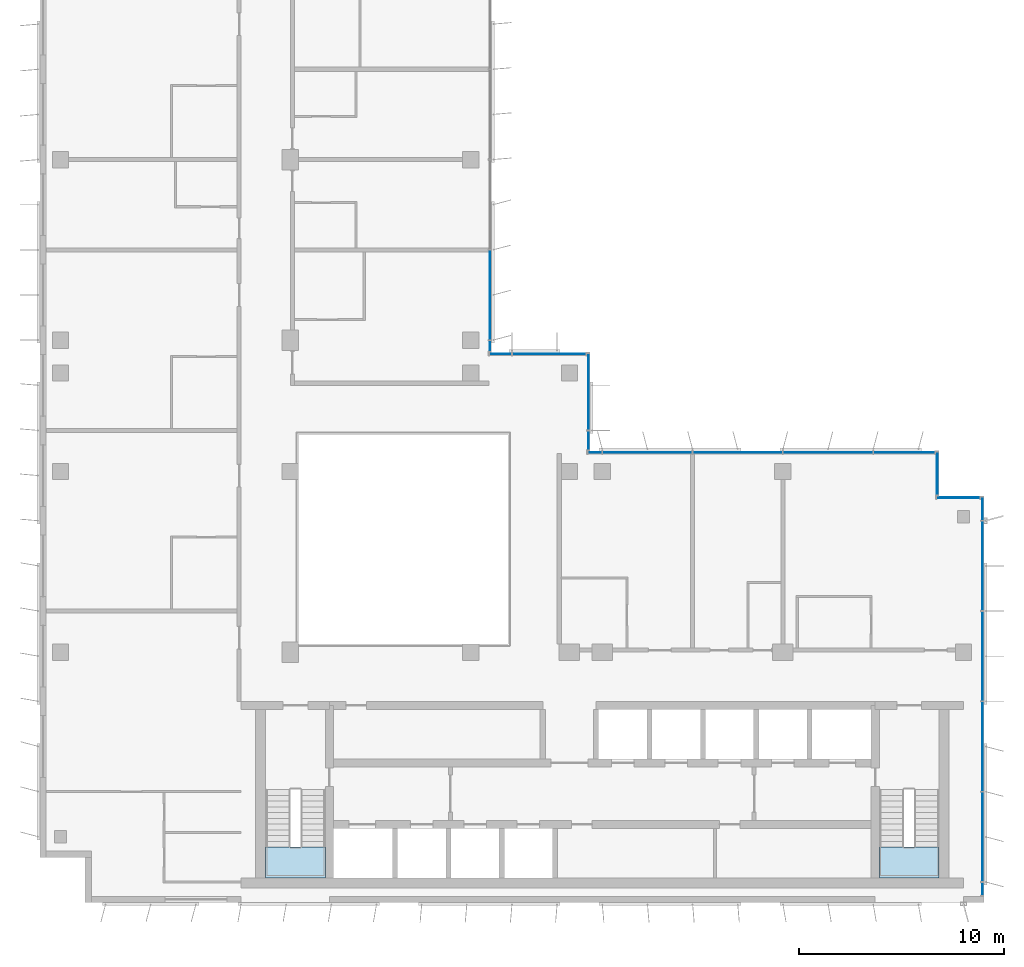
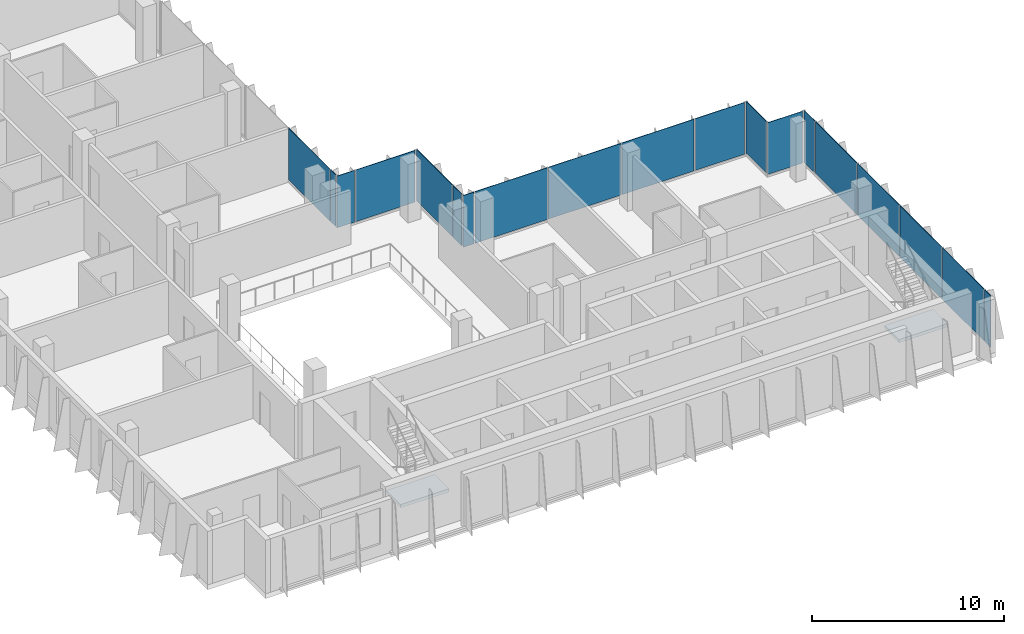
# One storey, part 7 of 15: 19 plates, 2 slabs, 9 elements without a shape of their own.
"""IFC4 building model written with IfcOpenShell, lengths in metres."""

from ifc_helpers import new_model, si_unit, direction, frame, origin, origin_2d, place, context, subcontext, project, spatial, polyline, rectangle, outline, extrude, source, transform, mapped, material, layer, layer_set, type_object, element, aggregate, save


model = new_model("IFC4")

# Units and contexts
model_context = context("Model", 3, precision=1e-05, world=origin(), true_north=direction((0.0, 1.0)))
body_context = subcontext(model_context, "Body", "Model", "MODEL_VIEW")
ifc_project = project(units=[si_unit("LENGTHUNIT", "METRE"), si_unit("AREAUNIT", "SQUARE_METRE"), si_unit("VOLUMEUNIT", "CUBIC_METRE"), si_unit("PLANEANGLEUNIT", "RADIAN"), si_unit("MASSUNIT", "GRAM", prefix="KILO")], contexts=[model_context])

# Site, building, storey
site_placement = place(None, origin())
site = spatial("IfcSite", under=ifc_project, at=site_placement, CompositionType="ELEMENT")
building_placement = place(site_placement, origin())
building = spatial("IfcBuilding", under=site, at=building_placement, Name="Kemantara Hotel Tower", CompositionType="ELEMENT")
storey_placement = place(building_placement, frame((0.0, 0.0, 268.5)))
storey = spatial("IfcBuildingStorey", under=building, at=storey_placement, Name="L67", CompositionType="ELEMENT", Elevation=268.5)

# Stair, slab
ifc_material_1 = material(Name="Concrete fc 40 MPa", Category="concrete")
stair_type = type_object("IfcStairType", Name="Stair 1200 wide 22 risers of 168 x 280 mm", PredefinedType="HALF_TURN_STAIR", material=ifc_material_1)
stair_1_placement = place(storey_placement, origin())
stair_1 = element("IfcStair", 1, at=stair_1_placement, inside=storey, type_object=stair_type, Name="L67 Exit stair ST1", PredefinedType="HALF_TURN_STAIR")
ifc_layer_1 = layer(ifc_material_1, 0.199951171875)
ifc_layer_set_1 = layer_set([ifc_layer_1], Name="Concrete fc 40 MPa")
slab_type = type_object("IfcSlabType", Name="Stair landing 200 mm", PredefinedType="LANDING", material=ifc_layer_set_1)
slab_1_placement = place(storey_placement, frame((0.0, 0.0, 1.64990234375)))
slab_1 = element("IfcSlab", 2, at=slab_1_placement, type_object=slab_type, Name="ST1 landing 1", PredefinedType="LANDING", context=body_context, shape_type="SweptSolid", body=[
    extrude(outline(polyline([(11.0, 2.699951171875), (11.0, 1.199951171875), (13.89990234375, 1.199951171875), (13.89990234375, 2.699951171875), (11.0, 2.699951171875)])), origin(), (0.0, 0.0, 1.0), 0.2001953125),
])
aggregate(stair_1, [slab_1])

stair_2_placement = place(storey_placement, origin())
stair_2 = element("IfcStair", 3, at=stair_2_placement, inside=storey, type_object=stair_type, Name="L67 Exit stair ST2", PredefinedType="HALF_TURN_STAIR")
slab_2_placement = place(storey_placement, frame((0.0, 0.0, 1.64990234375)))
slab_2 = element("IfcSlab", 4, at=slab_2_placement, type_object=slab_type, Name="ST2 landing 1", PredefinedType="LANDING", context=body_context, shape_type="SweptSolid", body=[
    extrude(outline(polyline([(40.89990234375, 2.699951171875), (40.89990234375, 1.199951171875), (43.800048828125, 1.199951171875), (43.800048828125, 2.699951171875), (40.89990234375, 2.699951171875)])), origin(), (0.0, 0.0, 1.0), 0.2001953125),
])
aggregate(stair_2, [slab_2])

# Curtain wall, plates
ifc_material_2 = material(Name="Low-E tinted double insulated glass 36 mm", Category="glass")
curtain_wall_type = type_object("IfcCurtainWallType", Name="TOWER CURTAIN WALL, FRONT FACES", PredefinedType="USERDEFINED", material=ifc_material_2)
curtain_wall_1_placement = place(storey_placement, origin())
curtain_wall_1 = element("IfcCurtainWall", 5, at=curtain_wall_1_placement, inside=storey, type_object=curtain_wall_type, Name="CW4 L67 T4-R09-1", ObjectType="TOWER CURTAIN WALL, FRONT FACES", PredefinedType="USERDEFINED")
ifc_layer_2 = layer(ifc_material_2, 0.035888671875)
ifc_layer_set_2 = layer_set([ifc_layer_2], Name="Low-E tinted double insulated glass 36 mm")
plate_type = type_object("IfcPlateType", Name="TOWER CURTAIN WALL, FRONT FACES PANEL", PredefinedType="CURTAIN_PANEL", material=ifc_layer_set_2)
shared_shape_1 = source(origin(), body_context, "Body", "SweptSolid", [
    extrude(rectangle(XDim=4.340087890625, YDim=0.035888671875, at=origin_2d()), origin(), (0.0, 0.0, 1.0), 3.280029296875),
])
plate_1_placement = place(storey_placement, frame((45.925048828125, 3.199951171875, 0.1201171875), z_axis=(0.0, 0.0, 1.0), x_axis=(0.0, 1.0, 0.0)))
plate_1 = element("IfcPlate", 6, at=plate_1_placement, type_object=plate_type, Name="CW4 glass panel T4-R09-1.2", PredefinedType="CURTAIN_PANEL", context=body_context, shape_type="MappedRepresentation", body=[
    mapped(shared_shape_1, transform((0.0, 0.0, 0.0))),
])
plate_2_placement = place(storey_placement, frame((45.925048828125, 7.60009765625, 0.1201171875), z_axis=(0.0, 0.0, 1.0), x_axis=(0.0, 1.0, 0.0)))
plate_2 = element("IfcPlate", 7, at=plate_2_placement, type_object=plate_type, Name="CW4 glass panel T4-R09-1.3", PredefinedType="CURTAIN_PANEL", context=body_context, shape_type="MappedRepresentation", body=[
    mapped(shared_shape_1, transform((0.0, 0.0, 0.0))),
])
plate_3_placement = place(storey_placement, frame((45.925048828125, 12.0, 0.1201171875), z_axis=(0.0, 0.0, 1.0), x_axis=(0.0, 1.0, 0.0)))
plate_3 = element("IfcPlate", 8, at=plate_3_placement, type_object=plate_type, Name="CW4 glass panel T4-R09-1.4", PredefinedType="CURTAIN_PANEL", context=body_context, shape_type="MappedRepresentation", body=[
    mapped(shared_shape_1, transform((0.0, 0.0, 0.0))),
])
plate_4_placement = place(storey_placement, frame((45.925048828125, 16.39990234375, 0.1201171875), z_axis=(0.0, 0.0, 1.0), x_axis=(0.0, 1.0, 0.0)))
plate_4 = element("IfcPlate", 9, at=plate_4_placement, type_object=plate_type, Name="CW4 glass panel T4-R09-1.5", PredefinedType="CURTAIN_PANEL", context=body_context, shape_type="MappedRepresentation", body=[
    mapped(shared_shape_1, transform((0.0, 0.0, 0.0))),
])

curtain_wall_2_placement = place(storey_placement, origin())
curtain_wall_2 = element("IfcCurtainWall", 10, at=curtain_wall_2_placement, inside=storey, type_object=curtain_wall_type, Name="CW4 L67 T4-R12-1", ObjectType="TOWER CURTAIN WALL, FRONT FACES", PredefinedType="USERDEFINED")
plate_5_placement = place(storey_placement, frame((38.39990234375, 21.925048828125, 0.1201171875), z_axis=(0.0, 0.0, 1.0), x_axis=(-1.0, 0.0, 0.0)))
plate_5 = element("IfcPlate", 11, at=plate_5_placement, type_object=plate_type, Name="CW4 glass panel T4-R12-1.2", PredefinedType="CURTAIN_PANEL", context=body_context, shape_type="MappedRepresentation", body=[
    mapped(shared_shape_1, transform((0.0, 0.0, 0.0))),
])
plate_6_placement = place(storey_placement, frame((34.0, 21.925048828125, 0.1201171875), z_axis=(0.0, 0.0, 1.0), x_axis=(-1.0, 0.0, 0.0)))
plate_6 = element("IfcPlate", 12, at=plate_6_placement, type_object=plate_type, Name="CW4 glass panel T4-R12-1.3", PredefinedType="CURTAIN_PANEL", context=body_context, shape_type="MappedRepresentation", body=[
    mapped(shared_shape_1, transform((0.0, 0.0, 0.0))),
])
plate_7_placement = place(storey_placement, frame((29.60009765625, 21.925048828125, 0.1201171875), z_axis=(0.0, 0.0, 1.0), x_axis=(-1.0, 0.0, 0.0)))
plate_7 = element("IfcPlate", 13, at=plate_7_placement, type_object=plate_type, Name="CW4 glass panel T4-R12-1.4", PredefinedType="CURTAIN_PANEL", context=body_context, shape_type="MappedRepresentation", body=[
    mapped(shared_shape_1, transform((0.0, 0.0, 0.0))),
])

# Curtain wall, plate
curtain_wall_3_placement = place(storey_placement, origin())
curtain_wall_3 = element("IfcCurtainWall", 14, at=curtain_wall_3_placement, inside=storey, type_object=curtain_wall_type, Name="CW4 L67 T4-R15-1", ObjectType="TOWER CURTAIN WALL, FRONT FACES", PredefinedType="USERDEFINED")
plate_8_placement = place(storey_placement, frame((21.925048828125, 29.60009765625, 0.1201171875), z_axis=(0.0, 0.0, 1.0), x_axis=(0.0, 1.0, 0.0)))
plate_8 = element("IfcPlate", 15, at=plate_8_placement, type_object=plate_type, Name="CW4 glass panel T4-R15-1.2", PredefinedType="CURTAIN_PANEL", context=body_context, shape_type="MappedRepresentation", body=[
    mapped(shared_shape_1, transform((0.0, 0.0, 0.0))),
])

curtain_wall_4_placement = place(storey_placement, origin())
curtain_wall_4 = element("IfcCurtainWall", 16, at=curtain_wall_4_placement, inside=storey, type_object=curtain_wall_type, Name="CW4 L67 T4-R10-1", ObjectType="TOWER CURTAIN WALL, FRONT FACES", PredefinedType="USERDEFINED")
shared_shape_2 = source(origin(), body_context, "Body", "SweptSolid", [
    extrude(rectangle(XDim=2.080078125, YDim=0.035888671875, at=origin_2d()), origin(), (0.0, 0.0, 1.0), 3.280029296875),
])
plate_9_placement = place(storey_placement, frame((44.75, 19.72509765625, 0.1201171875), z_axis=(0.0, 0.0, 1.0), x_axis=(-1.0, 0.0, 0.0)))
plate_9 = element("IfcPlate", 17, at=plate_9_placement, type_object=plate_type, Name="CW4 glass panel T4-R10-1.1", PredefinedType="CURTAIN_PANEL", context=body_context, shape_type="MappedRepresentation", body=[
    mapped(shared_shape_2, transform((0.0, 0.0, 0.0))),
])
aggregate(curtain_wall_4, [plate_9])

curtain_wall_5_placement = place(storey_placement, origin())
curtain_wall_5 = element("IfcCurtainWall", 18, at=curtain_wall_5_placement, inside=storey, type_object=curtain_wall_type, Name="CW4 L67 T4-R11-1", ObjectType="TOWER CURTAIN WALL, FRONT FACES", PredefinedType="USERDEFINED")
plate_10_placement = place(storey_placement, frame((43.72509765625, 20.89990234375, 0.1201171875), z_axis=(0.0, 0.0, 1.0), x_axis=(0.0, 1.0, 0.0)))
plate_10 = element("IfcPlate", 19, at=plate_10_placement, type_object=plate_type, Name="CW4 glass panel T4-R11-1.1", PredefinedType="CURTAIN_PANEL", context=body_context, shape_type="MappedRepresentation", body=[
    mapped(shared_shape_2, transform((0.0, 0.0, 0.0))),
])
aggregate(curtain_wall_5, [plate_10])

# Plate
shared_shape_3 = source(origin(), body_context, "Body", "SweptSolid", [
    extrude(rectangle(XDim=2.9599609375, YDim=0.035888671875, at=origin_2d()), origin(), (0.0, 0.0, 1.0), 3.280029296875),
])
plate_11_placement = place(storey_placement, frame((42.110107421875, 21.925048828125, 0.1201171875), z_axis=(0.0, 0.0, 1.0), x_axis=(-1.0, 0.0, 0.0)))
plate_11 = element("IfcPlate", 20, at=plate_11_placement, type_object=plate_type, Name="CW4 glass panel T4-R12-1.1", PredefinedType="CURTAIN_PANEL", context=body_context, shape_type="MappedRepresentation", body=[
    mapped(shared_shape_3, transform((0.0, 0.0, 0.0))),
])

shared_shape_4 = source(origin(), body_context, "Body", "SweptSolid", [
    extrude(rectangle(XDim=0.659912109375, YDim=0.035888671875, at=origin_2d()), origin(), (0.0, 0.0, 1.0), 3.280029296875),
])
plate_12_placement = place(storey_placement, frame((27.0400390625, 21.925048828125, 0.1201171875), z_axis=(0.0, 0.0, 1.0), x_axis=(-1.0, 0.0, 0.0)))
plate_12 = element("IfcPlate", 21, at=plate_12_placement, type_object=plate_type, Name="CW4 glass panel T4-R12-1.5", PredefinedType="CURTAIN_PANEL", context=body_context, shape_type="MappedRepresentation", body=[
    mapped(shared_shape_4, transform((0.0, 0.0, 0.0))),
])

aggregate(curtain_wall_2, [plate_11, plate_5, plate_6, plate_7, plate_12])

shared_shape_5 = source(origin(), body_context, "Body", "SweptSolid", [
    extrude(rectangle(XDim=0.510009765625, YDim=0.035888671875, at=origin_2d()), origin(), (0.0, 0.0, 1.0), 3.280029296875),
])
plate_13_placement = place(storey_placement, frame((21.925048828125, 27.114990234375, 0.1201171875), z_axis=(0.0, 0.0, 1.0), x_axis=(0.0, 1.0, 0.0)))
plate_13 = element("IfcPlate", 22, at=plate_13_placement, type_object=plate_type, Name="CW4 glass panel T4-R15-1.1", PredefinedType="CURTAIN_PANEL", context=body_context, shape_type="MappedRepresentation", body=[
    mapped(shared_shape_5, transform((0.0, 0.0, 0.0))),
])

aggregate(curtain_wall_3, [plate_13, plate_8])

# Curtain wall, plate
curtain_wall_6_placement = place(storey_placement, origin())
curtain_wall_6 = element("IfcCurtainWall", 23, at=curtain_wall_6_placement, inside=storey, type_object=curtain_wall_type, Name="CW4 L67 T4-R13-1", ObjectType="TOWER CURTAIN WALL, FRONT FACES", PredefinedType="USERDEFINED")
shared_shape_6 = source(origin(), body_context, "Body", "SweptSolid", [
    extrude(rectangle(XDim=0.909912109375, YDim=0.035888671875, at=origin_2d()), origin(), (0.0, 0.0, 1.0), 3.280029296875),
])
plate_14_placement = place(storey_placement, frame((26.72509765625, 22.514892578125, 0.1201171875), z_axis=(0.0, 0.0, 1.0), x_axis=(0.0, 1.0, 0.0)))
plate_14 = element("IfcPlate", 24, at=plate_14_placement, type_object=plate_type, Name="CW4 glass panel T4-R13-1.1", PredefinedType="CURTAIN_PANEL", context=body_context, shape_type="MappedRepresentation", body=[
    mapped(shared_shape_6, transform((0.0, 0.0, 0.0))),
])

# Plate
shared_shape_7 = source(origin(), body_context, "Body", "SweptSolid", [
    extrude(rectangle(XDim=1.110107421875, YDim=0.035888671875, at=origin_2d()), origin(), (0.0, 0.0, 1.0), 3.280029296875),
])
plate_15_placement = place(storey_placement, frame((45.925048828125, 19.18505859375, 0.1201171875), z_axis=(0.0, 0.0, 1.0), x_axis=(0.0, 1.0, 0.0)))
plate_15 = element("IfcPlate", 25, at=plate_15_placement, type_object=plate_type, Name="CW4 glass panel T4-R09-1.6", PredefinedType="CURTAIN_PANEL", context=body_context, shape_type="MappedRepresentation", body=[
    mapped(shared_shape_7, transform((0.0, 0.0, 0.0))),
])

shared_shape_8 = source(origin(), body_context, "Body", "SweptSolid", [
    extrude(rectangle(XDim=3.7099609375, YDim=0.035888671875, at=origin_2d()), origin(), (0.0, 0.0, 1.0), 3.280029296875),
])
plate_16_placement = place(storey_placement, frame((26.72509765625, 24.885009765625, 0.1201171875), z_axis=(0.0, 0.0, 1.0), x_axis=(0.0, 1.0, 0.0)))
plate_16 = element("IfcPlate", 26, at=plate_16_placement, type_object=plate_type, Name="CW4 glass panel T4-R13-1.2", PredefinedType="CURTAIN_PANEL", context=body_context, shape_type="MappedRepresentation", body=[
    mapped(shared_shape_8, transform((0.0, 0.0, 0.0))),
])

aggregate(curtain_wall_6, [plate_14, plate_16])

# Curtain wall, plates
curtain_wall_7_placement = place(storey_placement, origin())
curtain_wall_7 = element("IfcCurtainWall", 27, at=curtain_wall_7_placement, inside=storey, type_object=curtain_wall_type, Name="CW4 L67 T4-R14-1", ObjectType="TOWER CURTAIN WALL, FRONT FACES", PredefinedType="USERDEFINED")
shared_shape_9 = source(origin(), body_context, "Body", "SweptSolid", [
    extrude(rectangle(XDim=3.56005859375, YDim=0.035888671875, at=origin_2d()), origin(), (0.0, 0.0, 1.0), 3.280029296875),
])
plate_17_placement = place(storey_placement, frame((24.81005859375, 26.72509765625, 0.1201171875), z_axis=(0.0, 0.0, 1.0), x_axis=(-1.0, 0.0, 0.0)))
plate_17 = element("IfcPlate", 28, at=plate_17_placement, type_object=plate_type, Name="CW4 glass panel T4-R14-1.1", PredefinedType="CURTAIN_PANEL", context=body_context, shape_type="MappedRepresentation", body=[
    mapped(shared_shape_9, transform((0.0, 0.0, 0.0))),
])
shared_shape_10 = source(origin(), body_context, "Body", "SweptSolid", [
    extrude(rectangle(XDim=1.06005859375, YDim=0.035888671875, at=origin_2d()), origin(), (0.0, 0.0, 1.0), 3.280029296875),
])
plate_18_placement = place(storey_placement, frame((22.43994140625, 26.72509765625, 0.1201171875), z_axis=(0.0, 0.0, 1.0), x_axis=(-1.0, 0.0, 0.0)))
plate_18 = element("IfcPlate", 29, at=plate_18_placement, type_object=plate_type, Name="CW4 glass panel T4-R14-1.2", PredefinedType="CURTAIN_PANEL", context=body_context, shape_type="MappedRepresentation", body=[
    mapped(shared_shape_10, transform((0.0, 0.0, 0.0))),
])
aggregate(curtain_wall_7, [plate_17, plate_18])

# Plate
shared_shape_11 = source(origin(), body_context, "Body", "SweptSolid", [
    extrude(rectangle(XDim=0.610107421875, YDim=0.035888671875, at=origin_2d()), origin(), (0.0, 0.0, 1.0), 3.280029296875),
])
plate_19_placement = place(storey_placement, frame((45.925048828125, 0.6650390625, 0.1201171875), z_axis=(0.0, 0.0, 1.0), x_axis=(0.0, 1.0, 0.0)))
plate_19 = element("IfcPlate", 30, at=plate_19_placement, type_object=plate_type, Name="CW4 glass panel T4-R09-1.1", PredefinedType="CURTAIN_PANEL", context=body_context, shape_type="MappedRepresentation", body=[
    mapped(shared_shape_11, transform((0.0, 0.0, 0.0))),
])

aggregate(curtain_wall_1, [plate_19, plate_1, plate_2, plate_3, plate_4, plate_15])

save(model, "model.ifc")
